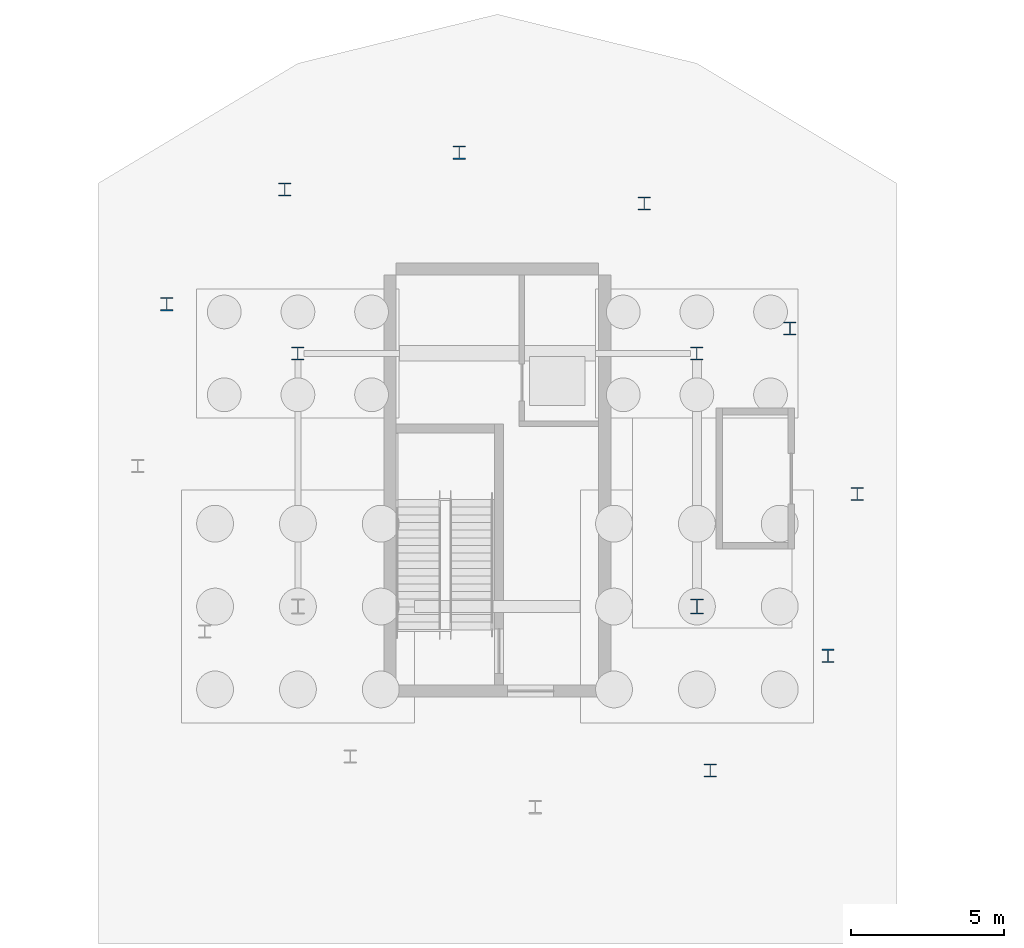
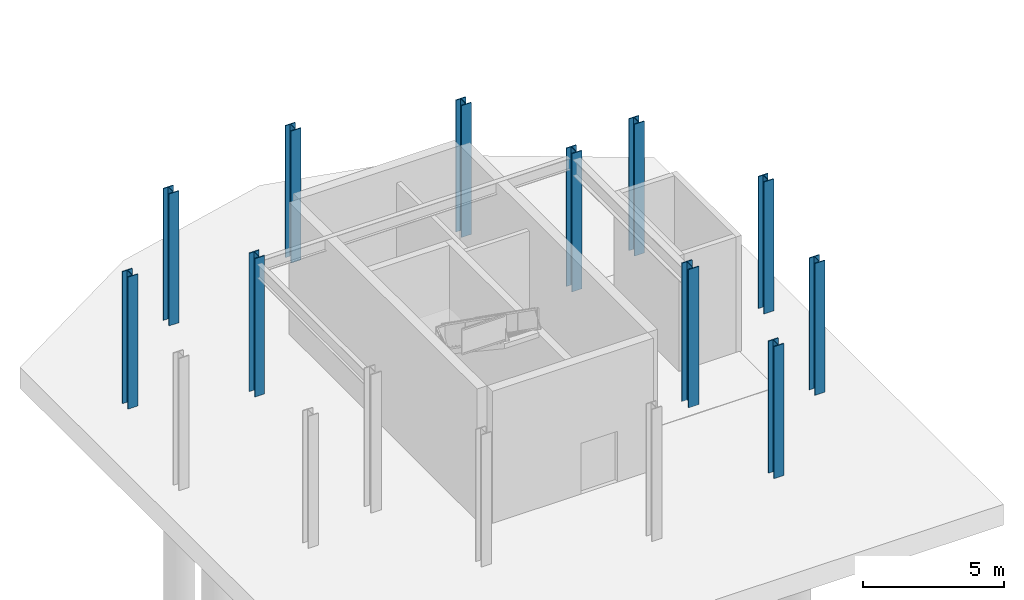
# One storey, part 24 of 62: 11 columns.
"""IFC4 building model written with IfcOpenShell, lengths in metres."""

import ifcopenshell
import ifcopenshell.guid

model = None  # the IFC model being written
_history = None  # IfcOwnerHistory: only IFC2X3 demands one
_inside = {}  # id of a spatial element -> (the spatial element, [elements in it])
_under = {}  # id of a project, library or spatial element -> (it, [spatial elements below it])
_declared = {}  # id of a project -> (the project, [libraries it declares])
_typed = {}  # id of a type object -> (the type object, [elements of that type])
_made_of = {}  # id of a material, layer set ... -> (it, [elements and type objects made of it])


def new_model(schema):
    """Start an empty IFC model of exactly this schema.

    Asked for "IFC4X3", IfcOpenShell would pick the latest addendum, in which some entities
    have other attributes; the version numbers below select the first issue.
    IFC2X3 requires an IfcOwnerHistory on every rooted entity: one is made here for all.
    """
    global model, _history
    if schema == "IFC4X3":
        model = ifcopenshell.file(schema_version=(4, 3, 0, 0))
    else:
        model = ifcopenshell.file(schema=schema)
    _inside.clear()
    _under.clear()
    _declared.clear()
    _typed.clear()
    _made_of.clear()
    _history = None
    if model.schema == "IFC2X3":
        org = make("IfcOrganization", Name="unknown")
        user = make(
            "IfcPersonAndOrganization",
            ThePerson=make("IfcPerson", FamilyName="unknown"),
            TheOrganization=org,
        )
        app = make(
            "IfcApplication",
            ApplicationDeveloper=org,
            Version="unknown",
            ApplicationFullName="unknown",
            ApplicationIdentifier="unknown",
        )
        _history = make(
            "IfcOwnerHistory",
            OwningUser=user,
            OwningApplication=app,
            ChangeAction="ADDED",
            CreationDate=0,
        )
    return model


def make(cls, **values):
    """One entity of the class cls with the attributes given. An attribute that is None is left unset."""
    return model.create_entity(
        cls, **{name: value for name, value in values.items() if value is not None}
    )


def rooted(cls, **values):
    """An entity with a GlobalId (a new one), such as an element, a storey or a relation."""
    return make(cls, GlobalId=ifcopenshell.guid.new(), OwnerHistory=_history, **values)


def si_unit(unit_type, name, prefix=None):
    """IfcSIUnit, for example si_unit("LENGTHUNIT", "METRE", prefix="MILLI")."""
    return make("IfcSIUnit", UnitType=unit_type, Prefix=prefix, Name=name)


def assignment(units):
    """IfcUnitAssignment: the units of a project."""
    return None if units is None else make("IfcUnitAssignment", Units=units)


def point(xyz):
    """IfcCartesianPoint."""
    return None if xyz is None else make("IfcCartesianPoint", Coordinates=xyz)


def direction(xyz):
    """IfcDirection."""
    return None if xyz is None else make("IfcDirection", DirectionRatios=xyz)


def frame(location, z_axis=None, x_axis=None):
    """IfcAxis2Placement3D, a coordinate frame: its origin and axes. An axis left out is left unset."""
    return make(
        "IfcAxis2Placement3D",
        Location=point(location),
        Axis=direction(z_axis),
        RefDirection=direction(x_axis),
    )


def frame_2d(location, x_axis=None):
    """IfcAxis2Placement2D, a coordinate frame in the plane: its origin and x axis."""
    return make(
        "IfcAxis2Placement2D", Location=point(location), RefDirection=direction(x_axis)
    )


def origin():
    """The frame at (0, 0, 0) with its axes left unset."""
    return frame((0.0, 0.0, 0.0))


def origin_2d():
    """The frame at (0, 0) in the plane with its x axis left unset."""
    return frame_2d((0.0, 0.0))


def place(relative_to, where):
    """IfcLocalPlacement: puts the frame where relative to a parent placement (None: the world)."""
    return make(
        "IfcLocalPlacement", PlacementRelTo=relative_to, RelativePlacement=where
    )


def context(
    kind, dimensions, precision=None, world=None, true_north=None, identifier=None
):
    """IfcGeometricRepresentationContext, for example the 3D "Model" context."""
    return make(
        "IfcGeometricRepresentationContext",
        ContextIdentifier=identifier,
        ContextType=kind,
        CoordinateSpaceDimension=dimensions,
        Precision=precision,
        WorldCoordinateSystem=world,
        TrueNorth=true_north,
    )


def subcontext(parent, identifier, kind, view, scale=None):
    """IfcGeometricRepresentationSubContext, for example "Body" below "Model"."""
    return make(
        "IfcGeometricRepresentationSubContext",
        ContextIdentifier=identifier,
        ContextType=kind,
        ParentContext=parent,
        TargetScale=scale,
        TargetView=view,
    )


def project(units=None, contexts=None):
    """IfcProject with its units and contexts."""
    return rooted(
        "IfcProject",
        Name="project",
        RepresentationContexts=contexts,
        UnitsInContext=assignment(units),
    )


def spatial(cls, under=None, at=None, **own):
    """A site, building, storey or space (cls), placed at a placement, below another one or the project."""
    s = rooted(cls, ObjectPlacement=at, **own)
    if under is not None:
        _under.setdefault(under.id(), (under, []))[1].append(s)
    return s


def profile(cls, at=None, kind="AREA", **sizes):
    """A parametric profile (cls). Its sizes go by their IFC names, for example OverallWidth=200.0."""
    return make(cls, ProfileType=kind, Position=at, **sizes)


def i_section(**sizes):
    """IfcIShapeProfileDef."""
    return profile("IfcIShapeProfileDef", **sizes)


def extrude(swept, where, along, depth):
    """IfcExtrudedAreaSolid: the profile swept, set in the frame where, extruded along a direction by depth."""
    return make(
        "IfcExtrudedAreaSolid",
        SweptArea=swept,
        Position=where,
        ExtrudedDirection=direction(along),
        Depth=depth,
    )


def shape(context_of_items, identifier, shape_type, items):
    """IfcShapeRepresentation: the items that make up one representation, for example the "Body"."""
    return make(
        "IfcShapeRepresentation",
        ContextOfItems=context_of_items,
        RepresentationIdentifier=identifier,
        RepresentationType=shape_type,
        Items=items,
    )


def material(Name=None, Category=None):
    """IfcMaterial."""
    return make("IfcMaterial", Name=Name, Category=Category)


def material_profile(
    of_material, cross_section, Name=None, Category=None, Priority=None
):
    """IfcMaterialProfile: a cross section and its material."""
    return make(
        "IfcMaterialProfile",
        Name=Name,
        Material=of_material,
        Profile=cross_section,
        Priority=Priority,
        Category=Category,
    )


def profile_set(profiles, Name=None, composite=None):
    """IfcMaterialProfileSet."""
    return make(
        "IfcMaterialProfileSet",
        Name=Name,
        MaterialProfiles=profiles,
        CompositeProfile=composite,
    )


def made_of(thing, what):
    """Note that an element or type object is made of a material, layer set ...; save() writes the relation."""
    if what is not None:
        _made_of.setdefault(what.id(), (what, []))[1].append(thing)
    return thing


def type_object(cls, material=None, **own):
    """A type object (cls), such as IfcWallType, which elements share."""
    return made_of(rooted(cls, **own), material)


def element(
    cls,
    number,
    at=None,
    inside=None,
    cuts=None,
    type_object=None,
    material=None,
    context=None,
    identifier="Body",
    shape_type=None,
    held_by="IfcProductDefinitionShape",
    body=None,
    shapes=None,
    **own,
):
    """One element of the class cls, such as IfcWall. Its Tag is "e" and its number.

    at: its placement. inside: the storey or other place that contains it. cuts: it is an
    opening in that element (IfcRelVoidsElement). A single representation is given by context,
    identifier, shape_type and body (its items); several are given by shapes. held_by: the class
    of the entity that holds the representations. save() writes the other relations.
    """
    e = rooted(cls, Tag="e%d" % number, ObjectPlacement=at, **own)
    if body is not None:
        shapes = [shape(context, identifier, shape_type, body)]
    if shapes is not None:
        e.Representation = make(held_by, Representations=shapes)
    if inside is not None:
        _inside.setdefault(inside.id(), (inside, []))[1].append(e)
    if cuts is not None:
        rooted(
            "IfcRelVoidsElement", RelatingBuildingElement=cuts, RelatedOpeningElement=e
        )
    if type_object is not None:
        _typed.setdefault(type_object.id(), (type_object, []))[1].append(e)
    return made_of(e, material)


def aggregate(whole, parts):
    """IfcRelAggregates: a whole, such as a stair, and the parts it consists of."""
    return rooted("IfcRelAggregates", RelatingObject=whole, RelatedObjects=parts)


def save(model, path):
    """Write the relations noted so far, then the file.

    IfcRelAggregates (storeys below a building ...), IfcRelContainedInSpatialStructure (elements
    in a storey), IfcRelDefinesByType, IfcRelAssociatesMaterial and IfcRelDeclares: one each for
    every whole, place, type object, material and project.
    """
    for whole, parts in _under.values():
        aggregate(whole, parts)
    for where, things in _inside.values():
        rooted(
            "IfcRelContainedInSpatialStructure",
            RelatedElements=things,
            RelatingStructure=where,
        )
    for kind, things in _typed.values():
        rooted("IfcRelDefinesByType", RelatedObjects=things, RelatingType=kind)
    for what, things in _made_of.values():
        rooted("IfcRelAssociatesMaterial", RelatedObjects=things, RelatingMaterial=what)
    for by, libraries in _declared.values():
        rooted("IfcRelDeclares", RelatingContext=by, RelatedDefinitions=libraries)
    model.write(path)


model = new_model("IFC4")

# Units and contexts
model_context = context("Model", 3, precision=1e-05, world=origin(), true_north=direction((0.0, 1.0)))
body_context = subcontext(model_context, "Body", "Model", "MODEL_VIEW")
ifc_project = project(units=[si_unit("LENGTHUNIT", "METRE"), si_unit("AREAUNIT", "SQUARE_METRE"), si_unit("VOLUMEUNIT", "CUBIC_METRE"), si_unit("PLANEANGLEUNIT", "RADIAN"), si_unit("MASSUNIT", "GRAM", prefix="KILO")], contexts=[model_context])

# Site, building, storey
site_placement = place(None, origin())
site = spatial("IfcSite", under=ifc_project, at=site_placement, CompositionType="ELEMENT")
building_placement = place(site_placement, origin())
building = spatial("IfcBuilding", under=site, at=building_placement, Name="Linyun Crest Stadium", CompositionType="ELEMENT")
storey_placement = place(building_placement, frame((0.0, 0.0, -6.0)))
storey = spatial("IfcBuildingStorey", under=building, at=storey_placement, Name="B1", CompositionType="ELEMENT", Elevation=-6.0)

# Columns
ifc_material_1 = material(Name="Steel Q355C", Category="steel")
ifc_material_profile_1 = material_profile(ifc_material_1, i_section(OverallWidth=0.406982421875, OverallDepth=0.427978515625, WebThickness=0.02001953125, FlangeThickness=0.034912109375, at=origin_2d()), Name="HW 428x407")
ifc_profile_set_1 = profile_set([ifc_material_profile_1], Name="Steel Q355C")
column_type_1 = type_object("IfcColumnType", Name="SC03", PredefinedType="COLUMN", material=ifc_profile_set_1)
for number, where, z_axis, x_axis, name in (
    (1, (-80.0, 88.75, 0.0), (0.0, 0.0, 1.0), (1.0, 0.0, 0.0), "Column SC03 B1 808"),
    (2, (-67.0, 88.75, 0.0), (0.0, 0.0, 1.0), (1.0, 0.0, 0.0), "Column SC03 B1 815"),
):
    element("IfcColumn", number, at=place(storey_placement, frame(where, z_axis=z_axis, x_axis=x_axis)), inside=storey, type_object=column_type_1, Name=name, PredefinedType="COLUMN", context=body_context, shape_type="SweptSolid", body=[
        extrude(i_section(OverallWidth=0.406982421875, OverallDepth=0.427978515625, WebThickness=0.02001953125, FlangeThickness=0.034912109375, at=origin_2d()), origin(), (0.0, 0.0, 1.0), 5.998046875),
    ])
for number, where, z_axis, x_axis, name in (
    (3, (-62.72802734375, 78.89697265625, 0.0), (0.0, 0.0, 1.0), (1.0, 0.0, 0.0), "Pod V-leg base column SC03 B1 946"),
    (4, (-61.777099609375, 84.16796875, 0.0), (0.0, 0.0, 1.0), (1.0, 0.0, 0.0), "Pod V-leg base column SC03 B1 950"),
    (5, (-63.967041015625, 89.56103515625, 0.0), (0.0, 0.0, 1.0), (1.0, 0.0, 0.0), "Pod V-leg base column SC03 B1 954"),
    (6, (-68.7109375, 93.631103515625, 0.0), (0.0, 0.0, 1.0), (1.0, 0.0, 0.0), "Pod V-leg base column SC03 B1 958"),
    (7, (-74.739013671875, 95.2880859375, 0.0), (0.0, 0.0, 1.0), (1.0, 0.0, 0.0), "Pod V-leg base column SC03 B1 962"),
    (8, (-80.43408203125, 94.087890625, 0.0), (0.0, 0.0, 1.0), (1.0, 0.0, 0.0), "Pod V-leg base column SC03 B1 966"),
    (9, (-84.27197265625, 90.35302734375, 0.0), (0.0, 0.0, 1.0), (1.0, 0.0, 0.0), "Pod V-leg base column SC03 B1 970"),
    (10, (-66.56591796875, 75.162109375, 0.0), (0.0, 0.0, 1.0), (1.0, 0.0, 0.0), "Pod V-leg base column SC03 B1 990"),
):
    element("IfcColumn", number, at=place(storey_placement, frame(where, z_axis=z_axis, x_axis=x_axis)), inside=storey, type_object=column_type_1, Name=name, PredefinedType="COLUMN", context=body_context, shape_type="SweptSolid", body=[
        extrude(i_section(OverallWidth=0.406982421875, OverallDepth=0.427978515625, WebThickness=0.02001953125, FlangeThickness=0.034912109375, at=origin_2d()), origin(), (0.0, 0.0, 1.0), 5.718017578125),
    ])
ifc_material_2 = material(Name="Steel Q420C", Category="steel")
ifc_material_profile_2 = material_profile(ifc_material_2, i_section(OverallWidth=0.431884765625, OverallDepth=0.498046875, WebThickness=0.02392578125, FlangeThickness=0.0380859375, at=origin_2d()), Name="HW 498x432")
ifc_profile_set_2 = profile_set([ifc_material_profile_2], Name="Steel Q420C")
column_type_2 = type_object("IfcColumnType", Name="SC04", PredefinedType="COLUMN", material=ifc_profile_set_2)
column_placement = place(storey_placement, frame((-67.0, 80.5, 0.0), z_axis=(0.0, 0.0, 1.0), x_axis=(1.0, 0.0, 0.0)))
element("IfcColumn", 11, at=column_placement, inside=storey, type_object=column_type_2, Name="Column SC04 B1 801", PredefinedType="COLUMN", context=body_context, shape_type="SweptSolid", body=[
    extrude(i_section(OverallWidth=0.431884765625, OverallDepth=0.498046875, WebThickness=0.02392578125, FlangeThickness=0.0380859375, at=origin_2d()), origin(), (0.0, 0.0, 1.0), 5.998046875),
])

save(model, "model.ifc")
